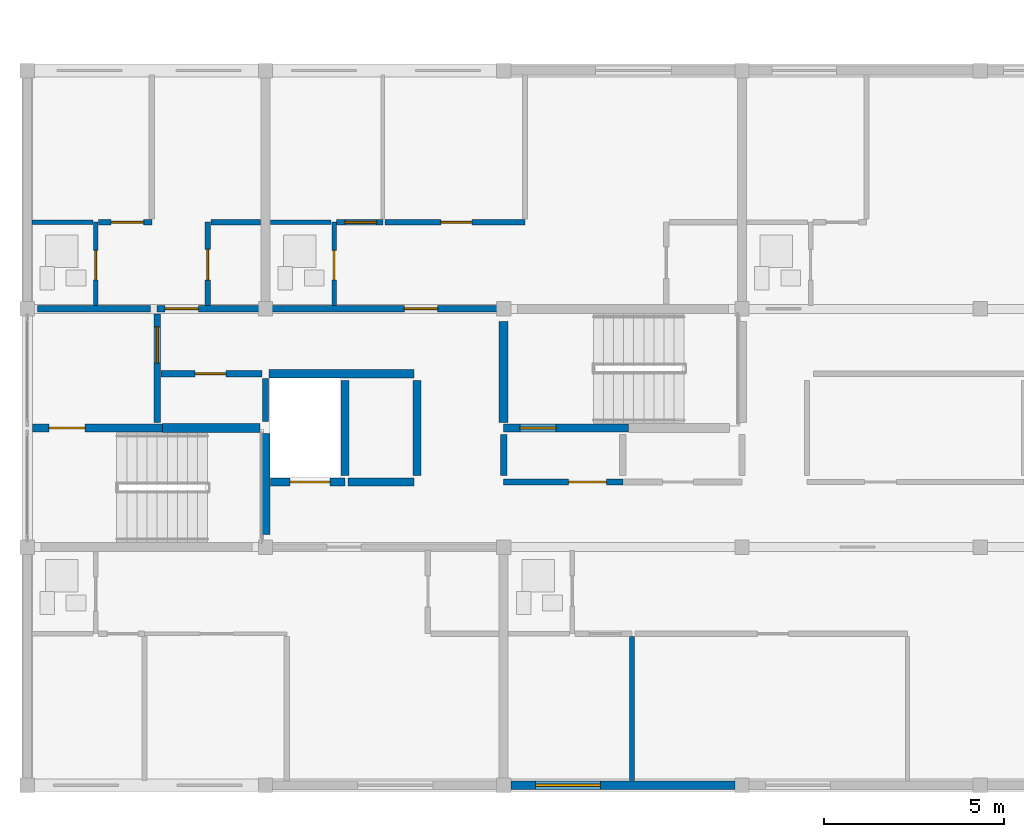
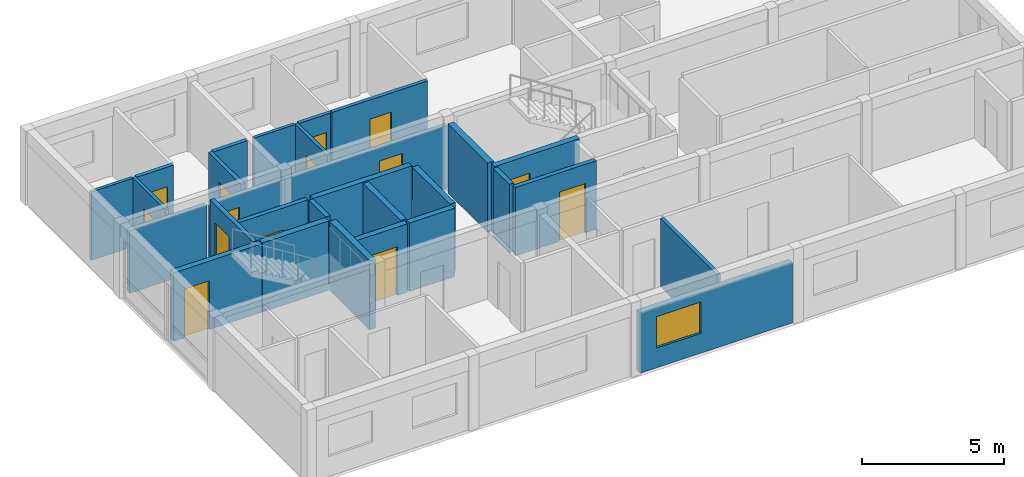
# One storey, part 8 of 12: 29 walls, 14 doors, 1 window, 15 openings.
"""IFC4 building model written with IfcOpenShell, lengths in metres."""

from ifc_helpers import new_model, si_unit, direction, frame, frame_2d, origin, place, context, subcontext, project, spatial, rectangle, extrude, material, layer, layer_set, type_object, element, fill, save


model = new_model("IFC4")

# Units and contexts
model_context = context("Model", 3, precision=1e-05, world=origin(), true_north=direction((0.0, 1.0)))
body_context = subcontext(model_context, "Body", "Model", "MODEL_VIEW")
ifc_project = project(units=[si_unit("LENGTHUNIT", "METRE"), si_unit("AREAUNIT", "SQUARE_METRE"), si_unit("VOLUMEUNIT", "CUBIC_METRE"), si_unit("PLANEANGLEUNIT", "RADIAN"), si_unit("MASSUNIT", "GRAM", prefix="KILO")], contexts=[model_context])

# Site, building, storey
site_placement = place(None, origin())
site = spatial("IfcSite", under=ifc_project, at=site_placement, CompositionType="ELEMENT")
building_placement = place(site_placement, origin())
building = spatial("IfcBuilding", under=site, at=building_placement, Name="Kernevlak Ridge Housing Community", CompositionType="ELEMENT")
storey_placement = place(building_placement, frame((0.0, 0.0, 53.199951171875)))
storey = spatial("IfcBuildingStorey", under=building, at=storey_placement, Name="L16", CompositionType="ELEMENT", Elevation=53.199951171875)

# Wall, opening, window
ifc_material_1 = material(Name="Concrete block masonry M10", Category="masonry")
ifc_layer_1 = layer(ifc_material_1, 0.239990234375, Name="Concrete block masonry M10")
ifc_layer_set_1 = layer_set([ifc_layer_1], Name="Concrete block masonry M10")
wall_type_1 = type_object("IfcWallType", Name="EW-06", PredefinedType="STANDARD", material=ifc_layer_set_1)
wall_1_placement = place(storey_placement, frame((29.0, 76.0, 0.0), z_axis=(0.0, 0.0, 1.0), x_axis=(1.0, 0.0, 0.0)))
wall_1 = element("IfcWall", 1, at=wall_1_placement, inside=storey, type_object=wall_type_1, Name="Exterior wall EW-06 L16 255", PredefinedType="STANDARD", context=body_context, shape_type="SweptSolid", body=[
    extrude(rectangle(XDim=6.199951171875, YDim=0.239990234375, at=frame_2d((3.10009765625, 0.0))), origin(), (0.0, 0.0, 1.0), 2.60009765625),
])
opening_1_placement = place(wall_1_placement, frame((0.675048828125, 0.0, 0.85009765625)))
opening_1 = element("IfcOpeningElement", 2, at=opening_1_placement, cuts=wall_1, Name="Opening WT-03", PredefinedType="OPENING", context=body_context, shape_type="SweptSolid", body=[
    extrude(rectangle(XDim=1.800048828125, YDim=1.35009765625, at=frame_2d((0.89990234375, 0.675048828125))), frame((0.0, 0.1298828125, 0.0), z_axis=(0.0, -1.0, 0.0), x_axis=(1.0, 0.0, 0.0)), (0.0, 0.0, 1.0), 0.260009765625),
])
ifc_material_2 = material(Name="Aluminium EN AW-6060 anodised and laminated glass", Category="aluminium")
window_type = type_object("IfcWindowType", Name="WT-03", PartitioningType="SINGLE_PANEL", PredefinedType="WINDOW", material=ifc_material_2)
window_placement = place(opening_1_placement, origin())
window = element("IfcWindow", 3, at=window_placement, inside=storey, type_object=window_type, Name="Window WT-03 L16 203", OverallHeight=1.35009765625, OverallWidth=1.800048828125, PartitioningType="SINGLE_PANEL", PredefinedType="WINDOW", context=body_context, shape_type="SweptSolid", body=[
    extrude(rectangle(XDim=1.800048828125, YDim=1.35009765625, at=frame_2d((0.89990234375, 0.675048828125))), frame((0.0, 0.030029296875, 0.0), z_axis=(0.0, -1.0, 0.0), x_axis=(1.0, 0.0, 0.0)), (0.0, 0.0, 1.0), 0.06005859375),
])
fill(opening_1, window)

# Wall, opening, door
ifc_material_3 = material(Name="Concrete C35/45", Category="concrete")
ifc_layer_2 = layer(ifc_material_3, 0.22509765625, Name="Concrete C35/45")
ifc_layer_set_2 = layer_set([ifc_layer_2], Name="Concrete C35/45")
wall_type_2 = type_object("IfcWallType", Name="PW-01", PredefinedType="STANDARD", material=ifc_layer_set_2)
wall_2_placement = place(storey_placement, frame((15.75, 85.89990234375, 0.0), z_axis=(0.0, 0.0, 1.0), x_axis=(1.0, 0.0, 0.0)))
wall_2 = element("IfcWall", 4, at=wall_2_placement, inside=storey, type_object=wall_type_2, Name="Interior wall PW-01 WAL-INT-L16-1008", PredefinedType="STANDARD", context=body_context, shape_type="SweptSolid", body=[
    extrude(rectangle(XDim=3.60009765625, YDim=0.22509765625, at=frame_2d((1.800048828125, 0.0))), origin(), (0.0, 0.0, 1.0), 2.945068359375),
])
opening_2_placement = place(wall_2_placement, frame((0.449951171875, 0.0, 0.0)))
opening_2 = element("IfcOpeningElement", 5, at=opening_2_placement, cuts=wall_2, Name="Opening D511", PredefinedType="OPENING", context=body_context, shape_type="SweptSolid", body=[
    extrude(rectangle(XDim=1.0, YDim=2.10009765625, at=frame_2d((0.5, 1.050048828125))), frame((0.0, 0.12255859375, 0.0), z_axis=(0.0, -1.0, 0.0), x_axis=(1.0, 0.0, 0.0)), (0.0, 0.0, 1.0), 0.2451171875),
])
ifc_material_4 = material(Name="Fire-rated sheet steel leaf", Category="steel")
door_type_1 = type_object("IfcDoorType", Name="DT-05", OperationType="NOTDEFINED", PredefinedType="DOOR", material=ifc_material_4)
door_1_placement = place(opening_2_placement, origin())
door_1 = element("IfcDoor", 6, at=door_1_placement, inside=storey, type_object=door_type_1, Name="Block A Stair 1 fire door D511", OperationType="SINGLE_SWING_LEFT", OverallHeight=2.10009765625, OverallWidth=1.0, PredefinedType="DOOR", context=body_context, shape_type="SweptSolid", body=[
    extrude(rectangle(XDim=1.0, YDim=2.10009765625, at=frame_2d((0.5, 1.050048828125))), frame((0.0, 0.02490234375, 0.0), z_axis=(0.0, -1.0, 0.0), x_axis=(1.0, 0.0, 0.0)), (0.0, 0.0, 1.0), 0.050048828125),
])
fill(opening_2, door_1)

wall_3_placement = place(storey_placement, frame((22.3349609375, 84.39990234375, 0.0), z_axis=(0.0, 0.0, 1.0), x_axis=(1.0, 0.0, 0.0)))
wall_3 = element("IfcWall", 7, at=wall_3_placement, inside=storey, type_object=wall_type_2, Name="Interior wall PW-01 WAL-INT-L16-1012", PredefinedType="STANDARD", context=body_context, shape_type="SweptSolid", body=[
    extrude(rectangle(XDim=2.06494140625, YDim=0.22509765625, at=frame_2d((1.032470703125, 0.0))), origin(), (0.0, 0.0, 1.0), 2.945068359375),
])
opening_3_placement = place(wall_3_placement, frame((0.550048828125, 0.0, 0.0)))
opening_3 = element("IfcOpeningElement", 8, at=opening_3_placement, cuts=wall_3, Name="Opening LD27", PredefinedType="OPENING", context=body_context, shape_type="SweptSolid", body=[
    extrude(rectangle(XDim=1.10009765625, YDim=2.10009765625, at=frame_2d((0.550048828125, 1.050048828125))), frame((0.0, 0.12255859375, 0.0), z_axis=(0.0, -1.0, 0.0), x_axis=(1.0, 0.0, 0.0)), (0.0, 0.0, 1.0), 0.2451171875),
])
ifc_material_5 = material(Name="Stainless steel EN 1.4401", Category="steel")
door_type_2 = type_object("IfcDoorType", Name="DT-LD1", OperationType="DOUBLE_DOOR_SLIDING", PredefinedType="DOOR", material=ifc_material_5)
door_2_placement = place(opening_3_placement, origin())
door_2 = element("IfcDoor", 9, at=door_2_placement, inside=storey, type_object=door_type_2, Name="Lift LF-A1 landing door LD27", OperationType="DOUBLE_DOOR_SLIDING", OverallHeight=2.10009765625, OverallWidth=1.10009765625, PredefinedType="DOOR", context=body_context, shape_type="SweptSolid", body=[
    extrude(rectangle(XDim=1.10009765625, YDim=2.10009765625, at=frame_2d((0.550048828125, 1.050048828125))), frame((0.0, 0.02490234375, 0.0), z_axis=(0.0, -1.0, 0.0), x_axis=(1.0, 0.0, 0.0)), (0.0, 0.0, 1.0), 0.050048828125),
])
fill(opening_3, door_2)

# Walls
wall_4_placement = place(storey_placement, frame((24.47998046875, 84.39990234375, 0.0), z_axis=(0.0, 0.0, 1.0), x_axis=(1.0, 0.0, 0.0)))
element("IfcWall", 10, at=wall_4_placement, inside=storey, type_object=wall_type_2, Name="Interior wall PW-01 WAL-INT-L16-1013", PredefinedType="STANDARD", context=body_context, shape_type="SweptSolid", body=[
    extrude(rectangle(XDim=1.840087890625, YDim=0.22509765625, at=frame_2d((0.919921875, 0.0))), origin(), (0.0, 0.0, 1.0), 2.945068359375),
])
wall_5_placement = place(storey_placement, frame((22.297607421875, 87.39990234375, 0.0), z_axis=(0.0, 0.0, 1.0), x_axis=(1.0, 0.0, 0.0)))
element("IfcWall", 11, at=wall_5_placement, inside=storey, type_object=wall_type_2, Name="Interior wall PW-01 WAL-INT-L16-1014", PredefinedType="STANDARD", context=body_context, shape_type="SweptSolid", body=[
    extrude(rectangle(XDim=4.0224609375, YDim=0.22509765625, at=frame_2d((2.01123046875, 0.0))), origin(), (0.0, 0.0, 1.0), 2.945068359375),
])
for number, where, z_axis, x_axis, name in (
    (12, (24.39990234375, 84.580078125, 0.0), (0.0, 0.0, 1.0), (0.0, 1.0, 0.0), "Interior wall PW-01 WAL-INT-L16-1016"),
    (13, (26.39990234375, 84.580078125, 0.0), (0.0, 0.0, 1.0), (0.0, 1.0, 0.0), "Interior wall PW-01 WAL-INT-L16-1017"),
):
    element("IfcWall", number, at=place(storey_placement, frame(where, z_axis=z_axis, x_axis=x_axis)), inside=storey, type_object=wall_type_2, Name=name, PredefinedType="STANDARD", context=body_context, shape_type="SweptSolid", body=[
        extrude(rectangle(XDim=2.639892578125, YDim=0.22509765625, at=frame_2d((1.31982421875, 0.0))), origin(), (0.0, 0.0, 1.0), 2.945068359375),
    ])

# Wall, opening, door
wall_6_placement = place(storey_placement, frame((28.800048828125, 85.89990234375, 0.0), z_axis=(0.0, 0.0, 1.0), x_axis=(1.0, 0.0, 0.0)))
wall_6 = element("IfcWall", 14, at=wall_6_placement, inside=storey, type_object=wall_type_2, Name="Interior wall PW-01 WAL-INT-L16-1018", PredefinedType="STANDARD", context=body_context, shape_type="SweptSolid", body=[
    extrude(rectangle(XDim=3.449951171875, YDim=0.22509765625, at=frame_2d((1.72509765625, 0.0))), origin(), (0.0, 0.0, 1.0), 2.945068359375),
])
opening_4_placement = place(wall_6_placement, frame((0.449951171875, 0.0, 0.0)))
opening_4 = element("IfcOpeningElement", 15, at=opening_4_placement, cuts=wall_6, Name="Opening D514", PredefinedType="OPENING", context=body_context, shape_type="SweptSolid", body=[
    extrude(rectangle(XDim=1.0, YDim=2.159912109375, at=frame_2d((0.5, 1.080078125))), frame((0.0, 0.12255859375, 0.0), z_axis=(0.0, -1.0, 0.0), x_axis=(1.0, 0.0, 0.0)), (0.0, 0.0, 1.0), 0.2451171875),
])
door_type_3 = type_object("IfcDoorType", Name="DT-15", OperationType="NOTDEFINED", PredefinedType="DOOR", material=ifc_material_4)
door_3_placement = place(opening_4_placement, origin())
door_3 = element("IfcDoor", 16, at=door_3_placement, inside=storey, type_object=door_type_3, Name="Block A Stair 2 fire door D514", OperationType="SINGLE_SWING_RIGHT", OverallHeight=2.159912109375, OverallWidth=1.0, PredefinedType="DOOR", context=body_context, shape_type="SweptSolid", body=[
    extrude(rectangle(XDim=1.0, YDim=2.159912109375, at=frame_2d((0.5, 1.080078125))), frame((0.0, 0.02490234375, 0.0), z_axis=(0.0, -1.0, 0.0), x_axis=(1.0, 0.0, 0.0)), (0.0, 0.0, 1.0), 0.050048828125),
])
fill(opening_4, door_3)

ifc_layer_3 = layer(ifc_material_1, 0.175048828125, Name="Concrete block masonry M10")
ifc_layer_set_3 = layer_set([ifc_layer_3], Name="Concrete block masonry M10")
wall_type_3 = type_object("IfcWallType", Name="PW-02", PredefinedType="PARTITIONING", material=ifc_layer_set_3)
wall_7_placement = place(storey_placement, frame((19.199951171875, 86.050048828125, 0.0), z_axis=(0.0, 0.0, 1.0), x_axis=(0.0, 1.0, 0.0)))
wall_7 = element("IfcWall", 17, at=wall_7_placement, inside=storey, type_object=wall_type_3, Name="Interior wall PW-02 WAL-INT-L16-1009", PredefinedType="PARTITIONING", context=body_context, shape_type="SweptSolid", body=[
    extrude(rectangle(XDim=3.0, YDim=0.175048828125, at=frame_2d((1.5, 0.0))), origin(), (0.0, 0.0, 1.0), 2.945068359375),
])
opening_5_placement = place(wall_7_placement, frame((1.64990234375, 0.0, 0.0)))
opening_5 = element("IfcOpeningElement", 18, at=opening_5_placement, cuts=wall_7, Name="Opening D512", PredefinedType="OPENING", context=body_context, shape_type="SweptSolid", body=[
    extrude(rectangle(XDim=1.0, YDim=2.159912109375, at=frame_2d((0.5, 1.080078125))), frame((0.0, 0.097412109375, 0.0), z_axis=(0.0, -1.0, 0.0), x_axis=(1.0, 0.0, 0.0)), (0.0, 0.0, 1.0), 0.195068359375),
])
door_4_placement = place(opening_5_placement, origin())
door_4 = element("IfcDoor", 19, at=door_4_placement, inside=storey, type_object=door_type_3, Name="Block A Firefighting lobby 1 door D512", OperationType="SINGLE_SWING_RIGHT", OverallHeight=2.159912109375, OverallWidth=1.0, PredefinedType="DOOR", context=body_context, shape_type="SweptSolid", body=[
    extrude(rectangle(XDim=1.0, YDim=2.159912109375, at=frame_2d((0.5, 1.080078125))), frame((0.0, 0.02490234375, 0.0), z_axis=(0.0, -1.0, 0.0), x_axis=(1.0, 0.0, 0.0)), (0.0, 0.0, 1.0), 0.050048828125),
])
fill(opening_5, door_4)

wall_8_placement = place(storey_placement, frame((19.300048828125, 87.39990234375, 0.0), z_axis=(0.0, 0.0, 1.0), x_axis=(1.0, 0.0, 0.0)))
wall_8 = element("IfcWall", 20, at=wall_8_placement, inside=storey, type_object=wall_type_3, Name="Interior wall PW-02 WAL-INT-L16-1010", PredefinedType="PARTITIONING", context=body_context, shape_type="SweptSolid", body=[
    extrude(rectangle(XDim=2.800048828125, YDim=0.175048828125, at=frame_2d((1.39990234375, 0.0))), origin(), (0.0, 0.0, 1.0), 2.945068359375),
])
opening_6_placement = place(wall_8_placement, frame((0.949951171875, 0.0, 0.0)))
opening_6 = element("IfcOpeningElement", 21, at=opening_6_placement, cuts=wall_8, Name="Opening D513", PredefinedType="OPENING", context=body_context, shape_type="SweptSolid", body=[
    extrude(rectangle(XDim=0.85009765625, YDim=2.0, at=frame_2d((0.425048828125, 1.0))), frame((0.0, 0.097412109375, 0.0), z_axis=(0.0, -1.0, 0.0), x_axis=(1.0, 0.0, 0.0)), (0.0, 0.0, 1.0), 0.195068359375),
])
door_type_4 = type_object("IfcDoorType", Name="DT-07", OperationType="NOTDEFINED", PredefinedType="DOOR", material=ifc_material_4)
door_5_placement = place(opening_6_placement, origin())
door_5 = element("IfcDoor", 22, at=door_5_placement, inside=storey, type_object=door_type_4, Name="Block A Riser shaft door D513", OperationType="SINGLE_SWING_LEFT", OverallHeight=2.0, OverallWidth=0.85009765625, PredefinedType="DOOR", context=body_context, shape_type="SweptSolid", body=[
    extrude(rectangle(XDim=0.85009765625, YDim=2.0, at=frame_2d((0.425048828125, 1.0))), frame((0.0, 0.02490234375, 0.0), z_axis=(0.0, -1.0, 0.0), x_axis=(1.0, 0.0, 0.0)), (0.0, 0.0, 1.0), 0.050048828125),
])
fill(opening_6, door_5)

# Wall
wall_9_placement = place(storey_placement, frame((22.199951171875, 86.080078125, 0.0), z_axis=(0.0, 0.0, 1.0), x_axis=(0.0, 1.0, 0.0)))
element("IfcWall", 23, at=wall_9_placement, inside=storey, type_object=wall_type_3, Name="Interior wall PW-02 WAL-INT-L16-1011", PredefinedType="PARTITIONING", context=body_context, shape_type="SweptSolid", body=[
    extrude(rectangle(XDim=1.18994140625, YDim=0.175048828125, at=frame_2d((0.594970703125, 0.0))), origin(), (0.0, 0.0, 1.0), 2.945068359375),
])

# Wall, opening, door
wall_10_placement = place(storey_placement, frame((28.800048828125, 84.39990234375, 0.0), z_axis=(0.0, 0.0, 1.0), x_axis=(1.0, 0.0, 0.0)))
wall_10 = element("IfcWall", 24, at=wall_10_placement, inside=storey, type_object=wall_type_3, Name="Interior wall PW-02 WAL-INT-L16-1019", PredefinedType="PARTITIONING", context=body_context, shape_type="SweptSolid", body=[
    extrude(rectangle(XDim=3.300048828125, YDim=0.175048828125, at=frame_2d((1.64990234375, 0.0))), origin(), (0.0, 0.0, 1.0), 2.945068359375),
])
opening_7_placement = place(wall_10_placement, frame((1.800048828125, 0.0, 0.0)))
opening_7 = element("IfcOpeningElement", 25, at=opening_7_placement, cuts=wall_10, Name="Opening D515", PredefinedType="OPENING", context=body_context, shape_type="SweptSolid", body=[
    extrude(rectangle(XDim=1.0400390625, YDim=2.1201171875, at=frame_2d((0.52001953125, 1.06005859375))), frame((0.0, 0.097412109375, 0.0), z_axis=(0.0, -1.0, 0.0), x_axis=(1.0, 0.0, 0.0)), (0.0, 0.0, 1.0), 0.195068359375),
])
door_type_5 = type_object("IfcDoorType", Name="DT-16", OperationType="NOTDEFINED", PredefinedType="DOOR", material=ifc_material_4)
door_6_placement = place(opening_7_placement, origin())
door_6 = element("IfcDoor", 26, at=door_6_placement, inside=storey, type_object=door_type_5, Name="Block A Firefighting lobby 2 door D515", OperationType="SINGLE_SWING_LEFT", OverallHeight=2.1201171875, OverallWidth=1.0400390625, PredefinedType="DOOR", context=body_context, shape_type="SweptSolid", body=[
    extrude(rectangle(XDim=1.0400390625, YDim=2.1201171875, at=frame_2d((0.52001953125, 1.06005859375))), frame((0.0, 0.02490234375, 0.0), z_axis=(0.0, -1.0, 0.0), x_axis=(1.0, 0.0, 0.0)), (0.0, 0.0, 1.0), 0.050048828125),
])
fill(opening_7, door_6)

# Walls
wall_11_placement = place(storey_placement, frame((28.800048828125, 84.580078125, 0.0), z_axis=(0.0, 0.0, 1.0), x_axis=(0.0, 1.0, 0.0)))
element("IfcWall", 27, at=wall_11_placement, inside=storey, type_object=wall_type_3, Name="Interior wall PW-02 WAL-INT-L16-1021", PredefinedType="PARTITIONING", context=body_context, shape_type="SweptSolid", body=[
    extrude(rectangle(XDim=1.139892578125, YDim=0.175048828125, at=frame_2d((0.56982421875, 0.0))), origin(), (0.0, 0.0, 1.0), 2.945068359375),
])
wall_12_placement = place(storey_placement, frame((15.8798828125, 89.199951171875, 0.0), z_axis=(0.0, 0.0, 1.0), x_axis=(1.0, 0.0, 0.0)))
element("IfcWall", 28, at=wall_12_placement, inside=storey, type_object=wall_type_3, Name="Interior wall PW-02 WAL-INT-L16-1047", PredefinedType="PARTITIONING", context=body_context, shape_type="SweptSolid", body=[
    extrude(rectangle(XDim=3.14013671875, YDim=0.175048828125, at=frame_2d((1.570068359375, 0.0))), origin(), (0.0, 0.0, 1.0), 2.699951171875),
])

# Wall, opening, door
wall_13_placement = place(storey_placement, frame((19.199951171875, 89.199951171875, 0.0), z_axis=(0.0, 0.0, 1.0), x_axis=(1.0, 0.0, 0.0)))
wall_13 = element("IfcWall", 29, at=wall_13_placement, inside=storey, type_object=wall_type_3, Name="Interior wall PW-02 WAL-INT-L16-1048", PredefinedType="PARTITIONING", context=body_context, shape_type="SweptSolid", body=[
    extrude(rectangle(XDim=3.0, YDim=0.175048828125, at=frame_2d((1.5, 0.0))), origin(), (0.0, 0.0, 1.0), 2.699951171875),
])
opening_8_placement = place(wall_13_placement, frame((0.219970703125, 0.0, 0.0)))
opening_8 = element("IfcOpeningElement", 30, at=opening_8_placement, cuts=wall_13, Name="Opening D529", PredefinedType="OPENING", context=body_context, shape_type="SweptSolid", body=[
    extrude(rectangle(XDim=0.919921875, YDim=2.139892578125, at=frame_2d((0.4599609375, 1.06982421875))), frame((0.0, 0.097412109375, 0.0), z_axis=(0.0, -1.0, 0.0), x_axis=(1.0, 0.0, 0.0)), (0.0, 0.0, 1.0), 0.195068359375),
])
ifc_material_6 = material(Name="Hardwood timber solid-core fire leaf", Category="wood")
door_type_6 = type_object("IfcDoorType", Name="DT-20", OperationType="NOTDEFINED", PredefinedType="DOOR", material=ifc_material_6)
door_7_placement = place(opening_8_placement, origin())
door_7 = element("IfcDoor", 31, at=door_7_placement, inside=storey, type_object=door_type_6, Name="Flat A1621 entrance fire door D529", OperationType="SINGLE_SWING_LEFT", OverallHeight=2.139892578125, OverallWidth=0.919921875, PredefinedType="DOOR", context=body_context, shape_type="SweptSolid", body=[
    extrude(rectangle(XDim=0.919921875, YDim=2.139892578125, at=frame_2d((0.4599609375, 1.06982421875))), frame((0.0, 0.02490234375, 0.0), z_axis=(0.0, -1.0, 0.0), x_axis=(1.0, 0.0, 0.0)), (0.0, 0.0, 1.0), 0.050048828125),
])
fill(opening_8, door_7)

wall_14_placement = place(storey_placement, frame((22.199951171875, 89.199951171875, 0.0), z_axis=(0.0, 0.0, 1.0), x_axis=(1.0, 0.0, 0.0)))
wall_14 = element("IfcWall", 32, at=wall_14_placement, inside=storey, type_object=wall_type_3, Name="Interior wall PW-02 WAL-INT-L16-1055", PredefinedType="PARTITIONING", context=body_context, shape_type="SweptSolid", body=[
    extrude(rectangle(XDim=6.60009765625, YDim=0.175048828125, at=frame_2d((3.300048828125, 0.0))), origin(), (0.0, 0.0, 1.0), 2.699951171875),
])
opening_9_placement = place(wall_14_placement, frame((3.85009765625, 0.0, 0.0)))
opening_9 = element("IfcOpeningElement", 33, at=opening_9_placement, cuts=wall_14, Name="Opening D533", PredefinedType="OPENING", context=body_context, shape_type="SweptSolid", body=[
    extrude(rectangle(XDim=0.919921875, YDim=2.139892578125, at=frame_2d((0.4599609375, 1.06982421875))), frame((0.0, 0.097412109375, 0.0), z_axis=(0.0, -1.0, 0.0), x_axis=(1.0, 0.0, 0.0)), (0.0, 0.0, 1.0), 0.195068359375),
])
door_8_placement = place(opening_9_placement, origin())
door_8 = element("IfcDoor", 34, at=door_8_placement, inside=storey, type_object=door_type_6, Name="Flat A1622 entrance fire door D533", OperationType="SINGLE_SWING_LEFT", OverallHeight=2.139892578125, OverallWidth=0.919921875, PredefinedType="DOOR", context=body_context, shape_type="SweptSolid", body=[
    extrude(rectangle(XDim=0.919921875, YDim=2.139892578125, at=frame_2d((0.4599609375, 1.06982421875))), frame((0.0, 0.02490234375, 0.0), z_axis=(0.0, -1.0, 0.0), x_axis=(1.0, 0.0, 0.0)), (0.0, 0.0, 1.0), 0.050048828125),
])
fill(opening_9, door_8)

# Wall
ifc_layer_4 = layer(ifc_material_1, 0.14501953125, Name="Concrete block masonry M10")
ifc_layer_set_4 = layer_set([ifc_layer_4], Name="Concrete block masonry M10")
wall_type_4 = type_object("IfcWallType", Name="PW-03", PredefinedType="PARTITIONING", material=ifc_layer_set_4)
wall_15_placement = place(storey_placement, frame((32.35009765625, 80.117431640625, 0.0), z_axis=(0.0, 0.0, 1.0), x_axis=(0.0, -1.0, 0.0)))
element("IfcWall", 35, at=wall_15_placement, inside=storey, type_object=wall_type_4, Name="Interior wall PW-03 WAL-INT-L16-1044", PredefinedType="PARTITIONING", context=body_context, shape_type="SweptSolid", body=[
    extrude(rectangle(XDim=3.987548828125, YDim=0.14501953125, at=frame_2d((1.99365234375, 0.0))), origin(), (0.0, 0.0, 1.0), 2.945068359375),
])

# Wall, opening, door
wall_16_placement = place(storey_placement, frame((17.572509765625, 91.60009765625, 0.0), z_axis=(0.0, 0.0, 1.0), x_axis=(1.0, 0.0, 0.0)))
wall_16 = element("IfcWall", 36, at=wall_16_placement, inside=storey, type_object=wall_type_4, Name="Interior wall PW-03 WAL-INT-L16-1053", PredefinedType="PARTITIONING", context=body_context, shape_type="SweptSolid", body=[
    extrude(rectangle(XDim=1.4775390625, YDim=0.14501953125, at=frame_2d((0.73876953125, 0.0))), origin(), (0.0, 0.0, 1.0), 2.945068359375),
])
opening_10_placement = place(wall_16_placement, frame((0.35009765625, 0.0, 0.0)))
opening_10 = element("IfcOpeningElement", 37, at=opening_10_placement, cuts=wall_16, Name="Opening D532", PredefinedType="OPENING", context=body_context, shape_type="SweptSolid", body=[
    extrude(rectangle(XDim=0.89990234375, YDim=2.10009765625, at=frame_2d((0.449951171875, 1.050048828125))), frame((0.0, 0.08251953125, 0.0), z_axis=(0.0, -1.0, 0.0), x_axis=(1.0, 0.0, 0.0)), (0.0, 0.0, 1.0), 0.1650390625),
])
ifc_material_7 = material(Name="Hardwood timber leaf", Category="wood")
door_type_7 = type_object("IfcDoorType", Name="DT-21", OperationType="NOTDEFINED", PredefinedType="DOOR", material=ifc_material_7)
door_9_placement = place(opening_10_placement, origin())
door_9 = element("IfcDoor", 38, at=door_9_placement, inside=storey, type_object=door_type_7, Name="Flat A1621 bedroom door D532", OperationType="SINGLE_SWING_RIGHT", OverallHeight=2.10009765625, OverallWidth=0.89990234375, PredefinedType="DOOR", context=body_context, shape_type="SweptSolid", body=[
    extrude(rectangle(XDim=0.89990234375, YDim=2.10009765625, at=frame_2d((0.449951171875, 1.050048828125))), frame((0.0, 0.02490234375, 0.0), z_axis=(0.0, -1.0, 0.0), x_axis=(1.0, 0.0, 0.0)), (0.0, 0.0, 1.0), 0.050048828125),
])
fill(opening_10, door_9)

wall_17_placement = place(storey_placement, frame((24.172607421875, 91.60009765625, 0.0), z_axis=(0.0, 0.0, 1.0), x_axis=(1.0, 0.0, 0.0)))
wall_17 = element("IfcWall", 39, at=wall_17_placement, inside=storey, type_object=wall_type_4, Name="Interior wall PW-03 WAL-INT-L16-1060", PredefinedType="PARTITIONING", context=body_context, shape_type="SweptSolid", body=[
    extrude(rectangle(XDim=1.27734375, YDim=0.14501953125, at=frame_2d((0.638671875, 0.0))), origin(), (0.0, 0.0, 1.0), 2.945068359375),
])
opening_11_placement = place(wall_17_placement, frame((0.2275390625, 0.0, 0.0)))
opening_11 = element("IfcOpeningElement", 40, at=opening_11_placement, cuts=wall_17, Name="Opening D536", PredefinedType="OPENING", context=body_context, shape_type="SweptSolid", body=[
    extrude(rectangle(XDim=0.8798828125, YDim=2.159912109375, at=frame_2d((0.43994140625, 1.080078125))), frame((0.0, 0.08251953125, 0.0), z_axis=(0.0, -1.0, 0.0), x_axis=(1.0, 0.0, 0.0)), (0.0, 0.0, 1.0), 0.1650390625),
])
door_type_8 = type_object("IfcDoorType", Name="DT-26", OperationType="NOTDEFINED", PredefinedType="DOOR", material=ifc_material_7)
door_10_placement = place(opening_11_placement, origin())
door_10 = element("IfcDoor", 41, at=door_10_placement, inside=storey, type_object=door_type_8, Name="Flat A1622 bedroom door D536", OperationType="SINGLE_SWING_RIGHT", OverallHeight=2.159912109375, OverallWidth=0.8798828125, PredefinedType="DOOR", context=body_context, shape_type="SweptSolid", body=[
    extrude(rectangle(XDim=0.8798828125, YDim=2.159912109375, at=frame_2d((0.43994140625, 1.080078125))), frame((0.0, 0.02490234375, 0.0), z_axis=(0.0, -1.0, 0.0), x_axis=(1.0, 0.0, 0.0)), (0.0, 0.0, 1.0), 0.050048828125),
])
fill(opening_11, door_10)

wall_18_placement = place(storey_placement, frame((25.512451171875, 91.60009765625, 0.0), z_axis=(0.0, 0.0, 1.0), x_axis=(1.0, 0.0, 0.0)))
wall_18 = element("IfcWall", 42, at=wall_18_placement, inside=storey, type_object=wall_type_4, Name="Interior wall PW-03 WAL-INT-L16-1062", PredefinedType="PARTITIONING", context=body_context, shape_type="SweptSolid", body=[
    extrude(rectangle(XDim=3.879638671875, YDim=0.14501953125, at=frame_2d((1.93994140625, 0.0))), origin(), (0.0, 0.0, 1.0), 2.945068359375),
])
opening_12_placement = place(wall_18_placement, frame((1.5458984375, 0.0, 0.0)))
opening_12 = element("IfcOpeningElement", 43, at=opening_12_placement, cuts=wall_18, Name="Opening D537", PredefinedType="OPENING", context=body_context, shape_type="SweptSolid", body=[
    extrude(rectangle(XDim=0.860107421875, YDim=2.1201171875, at=frame_2d((0.43017578125, 1.06005859375))), frame((0.0, 0.08251953125, 0.0), z_axis=(0.0, -1.0, 0.0), x_axis=(1.0, 0.0, 0.0)), (0.0, 0.0, 1.0), 0.1650390625),
])
door_type_9 = type_object("IfcDoorType", Name="DT-28", OperationType="NOTDEFINED", PredefinedType="DOOR", material=ifc_material_7)
door_11_placement = place(opening_12_placement, origin())
door_11 = element("IfcDoor", 44, at=door_11_placement, inside=storey, type_object=door_type_9, Name="Flat A1622 bedroom door D537", OperationType="SINGLE_SWING_LEFT", OverallHeight=2.1201171875, OverallWidth=0.860107421875, PredefinedType="DOOR", context=body_context, shape_type="SweptSolid", body=[
    extrude(rectangle(XDim=0.860107421875, YDim=2.1201171875, at=frame_2d((0.43017578125, 1.06005859375))), frame((0.0, 0.02490234375, 0.0), z_axis=(0.0, -1.0, 0.0), x_axis=(1.0, 0.0, 0.0)), (0.0, 0.0, 1.0), 0.050048828125),
])
fill(opening_12, door_11)

ifc_material_8 = material(Name="Gypsum plasterboard EN 520", Category="gypsum")
ifc_layer_5 = layer(ifc_material_8, 0.125, Name="Gypsum plasterboard EN 520")
ifc_layer_set_5 = layer_set([ifc_layer_5], Name="Gypsum plasterboard EN 520")
wall_type_5 = type_object("IfcWallType", Name="PW-04", PredefinedType="PARTITIONING", material=ifc_layer_set_5)
wall_19_placement = place(storey_placement, frame((17.5, 89.297607421875, 0.0), z_axis=(0.0, 0.0, 1.0), x_axis=(0.0, 1.0, 0.0)))
wall_19 = element("IfcWall", 45, at=wall_19_placement, inside=storey, type_object=wall_type_5, Name="Interior wall PW-04 WAL-INT-L16-1049", PredefinedType="PARTITIONING", context=body_context, shape_type="SweptSolid", body=[
    extrude(rectangle(XDim=2.302490234375, YDim=0.125, at=frame_2d((1.1513671875, 0.0))), origin(), (0.0, 0.0, 1.0), 2.945068359375),
])
opening_13_placement = place(wall_19_placement, frame((0.699951171875, 0.0, 0.0)))
opening_13 = element("IfcOpeningElement", 46, at=opening_13_placement, cuts=wall_19, Name="Opening D530", PredefinedType="OPENING", context=body_context, shape_type="SweptSolid", body=[
    extrude(rectangle(XDim=0.820068359375, YDim=2.050048828125, at=frame_2d((0.41015625, 1.02490234375))), frame((0.0, 0.072509765625, 0.0), z_axis=(0.0, -1.0, 0.0), x_axis=(1.0, 0.0, 0.0)), (0.0, 0.0, 1.0), 0.14501953125),
])
ifc_material_9 = material(Name="Hardwood timber moisture-resistant leaf", Category="wood")
door_type_10 = type_object("IfcDoorType", Name="DT-30", OperationType="NOTDEFINED", PredefinedType="DOOR", material=ifc_material_9)
door_12_placement = place(opening_13_placement, origin())
door_12 = element("IfcDoor", 47, at=door_12_placement, inside=storey, type_object=door_type_10, Name="Flat A1621 bathroom door D530", OperationType="SINGLE_SWING_RIGHT", OverallHeight=2.050048828125, OverallWidth=0.820068359375, PredefinedType="DOOR", context=body_context, shape_type="SweptSolid", body=[
    extrude(rectangle(XDim=0.820068359375, YDim=2.050048828125, at=frame_2d((0.41015625, 1.02490234375))), frame((0.0, 0.02490234375, 0.0), z_axis=(0.0, -1.0, 0.0), x_axis=(1.0, 0.0, 0.0)), (0.0, 0.0, 1.0), 0.050048828125),
])
fill(opening_13, door_12)

# Wall
wall_20_placement = place(storey_placement, frame((15.72998046875, 91.60009765625, 0.0), z_axis=(0.0, 0.0, 1.0), x_axis=(1.0, 0.0, 0.0)))
element("IfcWall", 48, at=wall_20_placement, inside=storey, type_object=wall_type_5, Name="Interior wall PW-04 WAL-INT-L16-1050", PredefinedType="PARTITIONING", context=body_context, shape_type="SweptSolid", body=[
    extrude(rectangle(XDim=1.68994140625, YDim=0.125, at=frame_2d((0.844970703125, 0.0))), origin(), (0.0, 0.0, 1.0), 2.945068359375),
])

# Wall, opening, door
wall_21_placement = place(storey_placement, frame((24.10009765625, 89.297607421875, 0.0), z_axis=(0.0, 0.0, 1.0), x_axis=(0.0, 1.0, 0.0)))
wall_21 = element("IfcWall", 49, at=wall_21_placement, inside=storey, type_object=wall_type_5, Name="Interior wall PW-04 WAL-INT-L16-1056", PredefinedType="PARTITIONING", context=body_context, shape_type="SweptSolid", body=[
    extrude(rectangle(XDim=2.302490234375, YDim=0.125, at=frame_2d((1.1513671875, 0.0))), origin(), (0.0, 0.0, 1.0), 2.945068359375),
])
opening_14_placement = place(wall_21_placement, frame((0.699951171875, 0.0, 0.0)))
opening_14 = element("IfcOpeningElement", 50, at=opening_14_placement, cuts=wall_21, Name="Opening D534", PredefinedType="OPENING", context=body_context, shape_type="SweptSolid", body=[
    extrude(rectangle(XDim=0.820068359375, YDim=2.050048828125, at=frame_2d((0.41015625, 1.02490234375))), frame((0.0, 0.072509765625, 0.0), z_axis=(0.0, -1.0, 0.0), x_axis=(1.0, 0.0, 0.0)), (0.0, 0.0, 1.0), 0.14501953125),
])
door_13_placement = place(opening_14_placement, origin())
door_13 = element("IfcDoor", 51, at=door_13_placement, inside=storey, type_object=door_type_10, Name="Flat A1622 bathroom door D534", OperationType="SINGLE_SWING_RIGHT", OverallHeight=2.050048828125, OverallWidth=0.820068359375, PredefinedType="DOOR", context=body_context, shape_type="SweptSolid", body=[
    extrude(rectangle(XDim=0.820068359375, YDim=2.050048828125, at=frame_2d((0.41015625, 1.02490234375))), frame((0.0, 0.02490234375, 0.0), z_axis=(0.0, -1.0, 0.0), x_axis=(1.0, 0.0, 0.0)), (0.0, 0.0, 1.0), 0.050048828125),
])
fill(opening_14, door_13)

# Wall
wall_22_placement = place(storey_placement, frame((22.3349609375, 91.60009765625, 0.0), z_axis=(0.0, 0.0, 1.0), x_axis=(1.0, 0.0, 0.0)))
element("IfcWall", 52, at=wall_22_placement, inside=storey, type_object=wall_type_5, Name="Interior wall PW-04 WAL-INT-L16-1057", PredefinedType="PARTITIONING", context=body_context, shape_type="SweptSolid", body=[
    extrude(rectangle(XDim=1.68505859375, YDim=0.125, at=frame_2d((0.842529296875, 0.0))), origin(), (0.0, 0.0, 1.0), 2.945068359375),
])

# Wall, opening, door
ifc_layer_6 = layer(ifc_material_8, 0.155029296875, Name="Gypsum plasterboard EN 520")
ifc_layer_set_6 = layer_set([ifc_layer_6], Name="Gypsum plasterboard EN 520")
wall_type_6 = type_object("IfcWallType", Name="PW-05", PredefinedType="PARTITIONING", material=ifc_layer_set_6)
wall_23_placement = place(storey_placement, frame((20.60009765625, 89.297607421875, 0.0), z_axis=(0.0, 0.0, 1.0), x_axis=(0.0, 1.0, 0.0)))
wall_23 = element("IfcWall", 53, at=wall_23_placement, inside=storey, type_object=wall_type_6, Name="Interior wall PW-05 WAL-INT-L16-1051", PredefinedType="PARTITIONING", context=body_context, shape_type="SweptSolid", body=[
    extrude(rectangle(XDim=2.302490234375, YDim=0.155029296875, at=frame_2d((1.1513671875, 0.0))), origin(), (0.0, 0.0, 1.0), 2.945068359375),
])
opening_15_placement = place(wall_23_placement, frame((0.699951171875, 0.0, 0.0)))
opening_15 = element("IfcOpeningElement", 54, at=opening_15_placement, cuts=wall_23, Name="Opening D531", PredefinedType="OPENING", context=body_context, shape_type="SweptSolid", body=[
    extrude(rectangle(XDim=0.85009765625, YDim=2.10009765625, at=frame_2d((0.425048828125, 1.050048828125))), frame((0.0, 0.08740234375, 0.0), z_axis=(0.0, -1.0, 0.0), x_axis=(1.0, 0.0, 0.0)), (0.0, 0.0, 1.0), 0.175048828125),
])
door_type_11 = type_object("IfcDoorType", Name="DT-03", OperationType="NOTDEFINED", PredefinedType="DOOR", material=ifc_material_7)
door_14_placement = place(opening_15_placement, origin())
door_14 = element("IfcDoor", 55, at=door_14_placement, inside=storey, type_object=door_type_11, Name="Flat A1621 kitchen door D531", OperationType="SINGLE_SWING_LEFT", OverallHeight=2.10009765625, OverallWidth=0.85009765625, PredefinedType="DOOR", context=body_context, shape_type="SweptSolid", body=[
    extrude(rectangle(XDim=0.85009765625, YDim=2.10009765625, at=frame_2d((0.425048828125, 1.050048828125))), frame((0.0, 0.02490234375, 0.0), z_axis=(0.0, -1.0, 0.0), x_axis=(1.0, 0.0, 0.0)), (0.0, 0.0, 1.0), 0.050048828125),
])
fill(opening_15, door_14)

# Walls
wall_24_placement = place(storey_placement, frame((20.6875, 91.60009765625, 0.0), z_axis=(0.0, 0.0, 1.0), x_axis=(1.0, 0.0, 0.0)))
element("IfcWall", 56, at=wall_24_placement, inside=storey, type_object=wall_type_6, Name="Interior wall PW-05 WAL-INT-L16-1052", PredefinedType="PARTITIONING", context=body_context, shape_type="SweptSolid", body=[
    extrude(rectangle(XDim=1.37744140625, YDim=0.155029296875, at=frame_2d((0.688720703125, 0.0))), origin(), (0.0, 0.0, 1.0), 2.945068359375),
])
ifc_material_10 = material(Name="Concrete C40/50", Category="concrete")
ifc_layer_7 = layer(ifc_material_10, 0.25, Name="Concrete C40/50")
ifc_layer_set_7 = layer_set([ifc_layer_7], Name="Concrete C40/50")
wall_type_7 = type_object("IfcWallType", Name="SW-03", PredefinedType="SHEAR", material=ifc_layer_set_7)
wall_25_placement = place(storey_placement, frame((19.35009765625, 85.89990234375, 0.0), z_axis=(0.0, 0.0, 1.0), x_axis=(1.0, 0.0, 0.0)))
element("IfcWall", 57, at=wall_25_placement, inside=storey, type_object=wall_type_7, Name="Shear wall SW-03 Block A L16 172", PredefinedType="SHEAR", context=body_context, shape_type="SweptSolid", body=[
    extrude(rectangle(XDim=2.699951171875, YDim=0.25, at=frame_2d((1.35009765625, 0.0))), origin(), (0.0, 0.0, 1.0), 2.97998046875),
])
for number, where, z_axis, x_axis, name in (
    (58, (22.199951171875, 82.949951171875, 0.0), (0.0, 0.0, 1.0), (0.0, 1.0, 0.0), "Shear wall SW-03 Block A L16 173"),
    (59, (28.800048828125, 86.050048828125, 0.0), (0.0, 0.0, 1.0), (0.0, 1.0, 0.0), "Shear wall SW-03 Block A L16 176"),
):
    element("IfcWall", number, at=place(storey_placement, frame(where, z_axis=z_axis, x_axis=x_axis)), inside=storey, type_object=wall_type_7, Name=name, PredefinedType="SHEAR", context=body_context, shape_type="SweptSolid", body=[
        extrude(rectangle(XDim=2.800048828125, YDim=0.25, at=frame_2d((1.39990234375, 0.0))), origin(), (0.0, 0.0, 1.0), 2.97998046875),
    ])

save(model, "model.ifc")
